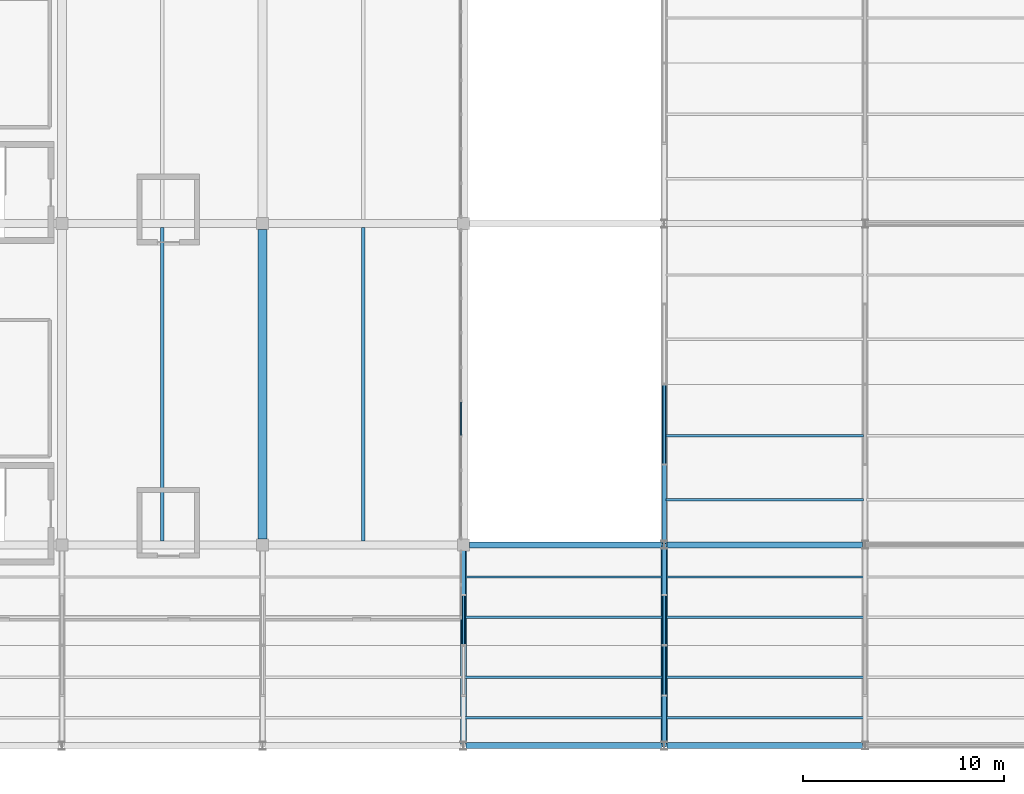
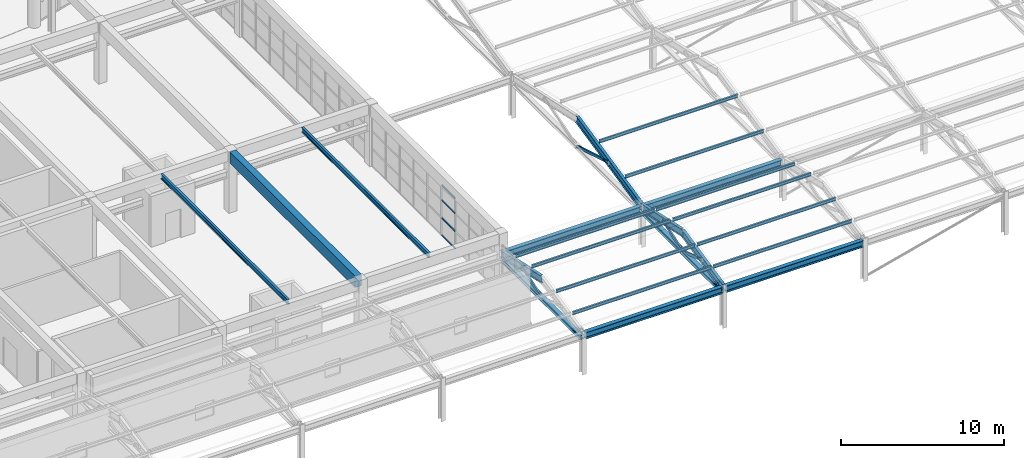
# One storey, part 25 of 109: 20 members, 11 beams, 1 element without a shape of its own.
"""IFC4 building model written with IfcOpenShell, lengths in metres."""

from ifc_helpers import new_model, si_unit, direction, frame, origin, origin_2d, place, context, subcontext, project, spatial, rectangle, hollow_rectangle, i_section, extrude, material, layer, layer_set, material_profile, profile_set, type_object, element, aggregate, save


model = new_model("IFC4")

# Units and contexts
model_context = context("Model", 3, precision=1e-05, world=origin(), true_north=direction((0.0, 1.0)))
body_context = subcontext(model_context, "Body", "Model", "MODEL_VIEW")
ifc_project = project(units=[si_unit("LENGTHUNIT", "METRE"), si_unit("AREAUNIT", "SQUARE_METRE"), si_unit("VOLUMEUNIT", "CUBIC_METRE"), si_unit("PLANEANGLEUNIT", "RADIAN"), si_unit("MASSUNIT", "GRAM", prefix="KILO")], contexts=[model_context])

# Site, building, storey
site_placement = place(None, origin())
site = spatial("IfcSite", under=ifc_project, at=site_placement, CompositionType="ELEMENT")
building_placement = place(site_placement, origin())
building = spatial("IfcBuilding", under=site, at=building_placement, Name="Kivolera Central Railway Station", CompositionType="ELEMENT")
storey_placement = place(building_placement, frame((0.0, 0.0, 9.60009765625)))
storey = spatial("IfcBuildingStorey", under=building, at=storey_placement, Name="L02", CompositionType="ELEMENT", Elevation=9.60009765625)

# Beams
ifc_material_1 = material(Name="Steel S355", Category="steel")
ifc_material_profile_1 = material_profile(ifc_material_1, i_section(OverallWidth=0.169921875, OverallDepth=0.360107421875, WebThickness=0.008056640625, FlangeThickness=0.0126953125, FilletRadius=0.01806640625, at=origin_2d()), Name="IPE 360")
ifc_profile_set_1 = profile_set([ifc_material_profile_1], Name="Steel S355")
beam_type_1 = type_object("IfcBeamType", Name="BM-JST-IPE360", PredefinedType="JOIST", material=ifc_profile_set_1)
for number, where, z_axis, x_axis, name in (
    (1, (73.0, 16.19189453125, 4.407958984375), (0.0, 1.0, 0.0), (-1.0, 0.0, 0.0), "L02 Over-Track Bridge Joist 7:B-C"),
    (2, (83.0, 16.19189453125, 4.407958984375), (0.0, 1.0, 0.0), (-1.0, 0.0, 0.0), "L02 Over-Track Bridge Joist 8:B-C"),
):
    element("IfcBeam", number, at=place(storey_placement, frame(where, z_axis=z_axis, x_axis=x_axis)), inside=storey, type_object=beam_type_1, Name=name, PredefinedType="JOIST", context=body_context, shape_type="SweptSolid", body=[
        extrude(i_section(OverallWidth=0.169921875, OverallDepth=0.360107421875, WebThickness=0.008056640625, FlangeThickness=0.0126953125, FilletRadius=0.01806640625, at=origin_2d()), origin(), (0.0, 0.0, 1.0), 15.6162109375),
    ])
ifc_material_2 = material(Name="Concrete C40/50", Category="concrete")
ifc_material_profile_2 = material_profile(ifc_material_2, rectangle(XDim=0.449951171875, YDim=0.85009765625, at=origin_2d()), Name="RC 450x850")
ifc_profile_set_2 = profile_set([ifc_material_profile_2], Name="Concrete C40/50")
beam_type_2 = type_object("IfcBeamType", Name="BM-RC-450x850", PredefinedType="BEAM", material=ifc_profile_set_2)
beam_1_placement = place(storey_placement, frame((78.0, 16.287109375, 4.1748046875), z_axis=(0.0, 1.0, 0.0), x_axis=(-1.0, 0.0, 0.0)))
element("IfcBeam", 3, at=beam_1_placement, inside=storey, type_object=beam_type_2, Name="L02 Over-Track Concourse Bridge Girder 8:B-C", PredefinedType="BEAM", context=body_context, shape_type="SweptSolid", body=[
    extrude(rectangle(XDim=0.449951171875, YDim=0.85009765625, at=origin_2d()), origin(), (0.0, 0.0, 1.0), 15.42578125),
])
ifc_material_profile_3 = material_profile(ifc_material_1, i_section(OverallWidth=0.300048828125, OverallDepth=0.489990234375, WebThickness=0.011962890625, FlangeThickness=0.02294921875, FilletRadius=0.027099609375, at=origin_2d()), Name="HEA 500")
ifc_profile_set_3 = profile_set([ifc_material_profile_3], Name="Steel S355")
beam_type_3 = type_object("IfcBeamType", Name="BM-SHD-HEA500", PredefinedType="BEAM", material=ifc_profile_set_3)
beam_2_placement = place(storey_placement, frame((88.136962890625, 6.0, 2.81982421875), z_axis=(1.0, 0.0, 0.0), x_axis=(0.0, 1.0, 0.0)))
element("IfcBeam", 4, at=beam_2_placement, inside=storey, type_object=beam_type_3, Name="Train Shed Eave Girder A:9-10", PredefinedType="BEAM", context=body_context, shape_type="SweptSolid", body=[
    extrude(i_section(OverallWidth=0.300048828125, OverallDepth=0.489990234375, WebThickness=0.011962890625, FlangeThickness=0.02294921875, FilletRadius=0.027099609375, at=origin_2d()), origin(), (0.0, 0.0, 1.0), 9.72607421875),
])
beam_3_placement = place(storey_placement, frame((88.2919921875, 16.0, 2.81982421875), z_axis=(1.0, 0.0, 0.0), x_axis=(0.0, 1.0, 0.0)))
element("IfcBeam", 5, at=beam_3_placement, inside=storey, type_object=beam_type_3, Name="Train Shed Eave Girder B:9-10", PredefinedType="BEAM", context=body_context, shape_type="SweptSolid", body=[
    extrude(i_section(OverallWidth=0.300048828125, OverallDepth=0.489990234375, WebThickness=0.011962890625, FlangeThickness=0.02294921875, FilletRadius=0.027099609375, at=origin_2d()), origin(), (0.0, 0.0, 1.0), 9.571044921875),
])
for number, where, z_axis, x_axis, name in (
    (6, (98.136962890625, 6.0, 2.81982421875), (1.0, 0.0, 0.0), (0.0, 1.0, 0.0), "Train Shed Eave Girder A:10-11"),
    (7, (98.136962890625, 16.0, 2.81982421875), (1.0, 0.0, 0.0), (0.0, 1.0, 0.0), "Train Shed Eave Girder B:10-11"),
):
    element("IfcBeam", number, at=place(storey_placement, frame(where, z_axis=z_axis, x_axis=x_axis)), inside=storey, type_object=beam_type_3, Name=name, PredefinedType="BEAM", context=body_context, shape_type="SweptSolid", body=[
        extrude(i_section(OverallWidth=0.300048828125, OverallDepth=0.489990234375, WebThickness=0.011962890625, FlangeThickness=0.02294921875, FilletRadius=0.027099609375, at=origin_2d()), origin(), (0.0, 0.0, 1.0), 9.72607421875),
    ])
ifc_material_profile_4 = material_profile(ifc_material_1, i_section(OverallWidth=0.209228515625, OverallDepth=0.533203125, WebThickness=0.010009765625, FlangeThickness=0.015625, FilletRadius=0.0126953125, at=origin_2d()), Name="UB 533x210x92")
ifc_profile_set_4 = profile_set([ifc_material_profile_4], Name="Steel S355")
beam_type_4 = type_object("IfcBeamType", Name="BM-SHD-UB533", PredefinedType="BEAM", material=ifc_profile_set_4)
for number, where, z_axis, x_axis, name in (
    (8, (88.0, 11.0, 4.02490234375), (0.0, 0.976640463768, -0.214879977038), (-1.0, 0.0, 0.0), "Train Shed Roof Truss Top Rafter AB-9N"),
    (9, (98.0, 6.0, 2.9248046875), (0.0, 0.976640463768, 0.214879977038), (-1.0, 0.0, 0.0), "Train Shed Roof Truss Top Rafter AB-10S"),
    (10, (98.0, 11.0, 4.02490234375), (0.0, 0.976640463768, -0.214879977038), (-1.0, 0.0, 0.0), "Train Shed Roof Truss Top Rafter AB-10N"),
):
    element("IfcBeam", number, at=place(storey_placement, frame(where, z_axis=z_axis, x_axis=x_axis)), inside=storey, type_object=beam_type_4, Name=name, PredefinedType="BEAM", context=body_context, shape_type="SweptSolid", body=[
        extrude(i_section(OverallWidth=0.209228515625, OverallDepth=0.533203125, WebThickness=0.010009765625, FlangeThickness=0.015625, FilletRadius=0.0126953125, at=origin_2d()), origin(), (0.0, 0.0, 1.0), 5.11962890625),
    ])
beam_4_placement = place(storey_placement, frame((98.0, 16.0, 2.9248046875), z_axis=(0.0, 0.97664421653, 0.214862919829), x_axis=(-1.0, 0.0, 0.0)))
element("IfcBeam", 11, at=beam_4_placement, inside=storey, type_object=beam_type_4, Name="Train Shed Roof Truss Top Rafter BC-10S", PredefinedType="BEAM", context=body_context, shape_type="SweptSolid", body=[
    extrude(i_section(OverallWidth=0.209228515625, OverallDepth=0.533203125, WebThickness=0.010009765625, FlangeThickness=0.015625, FilletRadius=0.0126953125, at=origin_2d()), origin(), (0.0, 0.0, 1.0), 8.19140625),
])

# Curtain wall, members
ifc_material_3 = material(Name="Anodised aluminium", Category="aluminium")
ifc_layer = layer(ifc_material_3, 0.179931640625, Name="Anodised aluminium")
ifc_layer_set = layer_set([ifc_layer], Name="Anodised aluminium")
curtain_wall_type = type_object("IfcCurtainWallType", Name="CW-SYS-18", PredefinedType="NOTDEFINED", material=ifc_layer_set)
curtain_wall_placement = place(storey_placement, origin())
curtain_wall = element("IfcCurtainWall", 12, at=curtain_wall_placement, inside=storey, type_object=curtain_wall_type, Name="L02 Curtain Wall CW-L02-BRGE-2", PredefinedType="NOTDEFINED")
ifc_material_profile_5 = material_profile(ifc_material_3, rectangle(XDim=0.06005859375, YDim=0.1201171875, at=origin_2d()), Name="ALU TRAN 60x120")
ifc_profile_set_5 = profile_set([ifc_material_profile_5], Name="Anodised aluminium")
member_type_1 = type_object("IfcMemberType", Name="CWM-TRN-2", PredefinedType="USERDEFINED", material=ifc_profile_set_5)
member_1_placement = place(storey_placement, frame((87.8798828125, 23.115478515625, 0.02978515625), z_axis=(0.0, -1.0, 0.0), x_axis=(1.0, 0.0, 0.0)))
member_1 = element("IfcMember", 13, at=member_1_placement, type_object=member_type_1, Name="CW-18 transom 6.1", ObjectType="TRANSOM", PredefinedType="USERDEFINED", context=body_context, shape_type="SweptSolid", body=[
    extrude(rectangle(XDim=0.06005859375, YDim=0.1201171875, at=origin_2d()), origin(), (0.0, 0.0, 1.0), 1.64892578125),
])
member_2_placement = place(storey_placement, frame((87.8798828125, 23.115478515625, 1.329833984375), z_axis=(0.0, -1.0, 0.0), x_axis=(1.0, 0.0, 0.0)))
member_2 = element("IfcMember", 14, at=member_2_placement, type_object=member_type_1, Name="CW-18 transom 6.2", ObjectType="TRANSOM", PredefinedType="USERDEFINED", context=body_context, shape_type="SweptSolid", body=[
    extrude(rectangle(XDim=0.06005859375, YDim=0.1201171875, at=origin_2d()), origin(), (0.0, 0.0, 1.0), 1.64892578125),
])
member_3_placement = place(storey_placement, frame((87.8798828125, 23.115478515625, 2.659912109375), z_axis=(0.0, -1.0, 0.0), x_axis=(1.0, 0.0, 0.0)))
member_3 = element("IfcMember", 15, at=member_3_placement, type_object=member_type_1, Name="CW-18 transom 6.3", ObjectType="TRANSOM", PredefinedType="USERDEFINED", context=body_context, shape_type="SweptSolid", body=[
    extrude(rectangle(XDim=0.06005859375, YDim=0.1201171875, at=origin_2d()), origin(), (0.0, 0.0, 1.0), 1.64892578125),
])
member_4_placement = place(storey_placement, frame((87.8798828125, 23.115478515625, 3.77001953125), z_axis=(0.0, -1.0, 0.0), x_axis=(1.0, 0.0, 0.0)))
member_4 = element("IfcMember", 16, at=member_4_placement, type_object=member_type_1, Name="CW-18 transom 6.4", ObjectType="TRANSOM", PredefinedType="USERDEFINED", context=body_context, shape_type="SweptSolid", body=[
    extrude(rectangle(XDim=0.06005859375, YDim=0.1201171875, at=origin_2d()), origin(), (0.0, 0.0, 1.0), 1.64892578125),
])
aggregate(curtain_wall, [member_1, member_2, member_3, member_4])

# Members
ifc_material_profile_6 = material_profile(ifc_material_1, i_section(OverallWidth=0.300048828125, OverallDepth=0.300048828125, WebThickness=0.010986328125, FlangeThickness=0.01904296875, FilletRadius=0.027099609375, at=origin_2d()), Name="HEB 300")
ifc_profile_set_6 = profile_set([ifc_material_profile_6], Name="Steel S355")
member_type_2 = type_object("IfcMemberType", Name="MEM-CHD-HEB300", PredefinedType="CHORD", material=ifc_profile_set_6)
for number, where, z_axis, x_axis, name in (
    (17, (88.0, 6.080078125, 2.619873046875), (0.0, 1.0, 0.0), (-1.0, 0.0, 0.0), "Train Shed Roof Truss Bottom Tie Chord AB-9"),
    (18, (98.0, 6.080078125, 2.619873046875), (0.0, 1.0, 0.0), (-1.0, 0.0, 0.0), "Train Shed Roof Truss Bottom Tie Chord AB-10"),
):
    element("IfcMember", number, at=place(storey_placement, frame(where, z_axis=z_axis, x_axis=x_axis)), inside=storey, type_object=member_type_2, Name=name, PredefinedType="CHORD", context=body_context, shape_type="SweptSolid", body=[
        extrude(i_section(OverallWidth=0.300048828125, OverallDepth=0.300048828125, WebThickness=0.010986328125, FlangeThickness=0.01904296875, FilletRadius=0.027099609375, at=origin_2d()), origin(), (0.0, 0.0, 1.0), 9.83984375),
    ])
ifc_material_profile_7 = material_profile(ifc_material_1, i_section(OverallWidth=0.1201171875, OverallDepth=0.239990234375, WebThickness=0.006103515625, FlangeThickness=0.009765625, FilletRadius=0.014892578125, at=origin_2d()), Name="IPE 240")
ifc_profile_set_7 = profile_set([ifc_material_profile_7], Name="Steel S355")
member_type_3 = type_object("IfcMemberType", Name="MEM-PUR-IPE240", PredefinedType="PURLIN", material=ifc_profile_set_7)
for number, where, z_axis, x_axis, name in (
    (19, (88.080078125, 7.39990234375, 3.61279296875), (1.0, 0.0, 0.0), (0.0, 1.0, 0.0), "Train Shed Roof Purlin AB-09-S1"),
    (20, (88.080078125, 12.39990234375, 4.096923828125), (1.0, 0.0, 0.0), (0.0, 1.0, 0.0), "Train Shed Roof Purlin AB-09-N1"),
    (21, (88.080078125, 9.39990234375, 4.052978515625), (1.0, 0.0, 0.0), (0.0, 1.0, 0.0), "Train Shed Roof Purlin AB-09-S2"),
    (22, (88.080078125, 14.39990234375, 3.656982421875), (1.0, 0.0, 0.0), (0.0, 1.0, 0.0), "Train Shed Roof Purlin AB-09-N2"),
    (23, (98.080078125, 7.39990234375, 3.61279296875), (1.0, 0.0, 0.0), (0.0, 1.0, 0.0), "Train Shed Roof Purlin AB-10-S1"),
    (24, (98.080078125, 12.39990234375, 4.096923828125), (1.0, 0.0, 0.0), (0.0, 1.0, 0.0), "Train Shed Roof Purlin AB-10-N1"),
    (25, (98.080078125, 9.39990234375, 4.052978515625), (1.0, 0.0, 0.0), (0.0, 1.0, 0.0), "Train Shed Roof Purlin AB-10-S2"),
    (26, (98.080078125, 14.39990234375, 3.656982421875), (1.0, 0.0, 0.0), (0.0, 1.0, 0.0), "Train Shed Roof Purlin AB-10-N2"),
    (27, (98.080078125, 18.239990234375, 3.7978515625), (1.0, 0.0, 0.0), (0.0, 1.0, 0.0), "Train Shed Roof Purlin BC-10-S1"),
    (28, (98.080078125, 21.43994140625, 4.501953125), (1.0, 0.0, 0.0), (0.0, 1.0, 0.0), "Train Shed Roof Purlin BC-10-S2"),
):
    element("IfcMember", number, at=place(storey_placement, frame(where, z_axis=z_axis, x_axis=x_axis)), inside=storey, type_object=member_type_3, Name=name, PredefinedType="PURLIN", context=body_context, shape_type="SweptSolid", body=[
        extrude(i_section(OverallWidth=0.1201171875, OverallDepth=0.239990234375, WebThickness=0.006103515625, FlangeThickness=0.009765625, FilletRadius=0.014892578125, at=origin_2d()), origin(), (0.0, 0.0, 1.0), 9.83984375),
    ])
ifc_material_profile_8 = material_profile(ifc_material_1, hollow_rectangle(XDim=0.10009765625, YDim=0.199951171875, WallThickness=0.010009765625, at=origin_2d()), Name="RHS 200x100x10")
ifc_profile_set_8 = profile_set([ifc_material_profile_8], Name="Steel S355")
member_type_4 = type_object("IfcMemberType", Name="MEM-STR-RHS200", PredefinedType="STRUT", material=ifc_profile_set_8)
for number, where, z_axis, x_axis, name in (
    (29, (88.0, 11.0, 2.619873046875), (0.0, 0.946196747594, 0.323591895515), (-1.0, 0.0, 0.0), "Train Shed Truss Web Strut AB-9-2"),
    (30, (98.0, 11.0, 2.619873046875), (0.0, -0.946196747594, 0.323591895515), (1.0, 0.0, 0.0), "Train Shed Truss Web Strut AB-10-1"),
    (31, (98.0, 11.0, 2.619873046875), (0.0, 0.946196747594, 0.323591895515), (-1.0, 0.0, 0.0), "Train Shed Truss Web Strut AB-10-2"),
):
    element("IfcMember", number, at=place(storey_placement, frame(where, z_axis=z_axis, x_axis=x_axis)), inside=storey, type_object=member_type_4, Name=name, PredefinedType="STRUT", context=body_context, shape_type="SweptSolid", body=[
        extrude(hollow_rectangle(XDim=0.10009765625, YDim=0.199951171875, WallThickness=0.010009765625, at=origin_2d()), origin(), (0.0, 0.0, 1.0), 2.64208984375),
    ])
member_5_placement = place(storey_placement, frame((98.0, 24.0, 2.619873046875), z_axis=(0.0, -0.958806377549, 0.284060434364), x_axis=(1.0, 0.0, 0.0)))
element("IfcMember", 32, at=member_5_placement, inside=storey, type_object=member_type_4, Name="Train Shed Truss Web Strut BC-10-1", PredefinedType="STRUT", context=body_context, shape_type="SweptSolid", body=[
    extrude(hollow_rectangle(XDim=0.10009765625, YDim=0.199951171875, WallThickness=0.010009765625, at=origin_2d()), origin(), (0.0, 0.0, 1.0), 4.171875),
])

save(model, "model.ifc")
